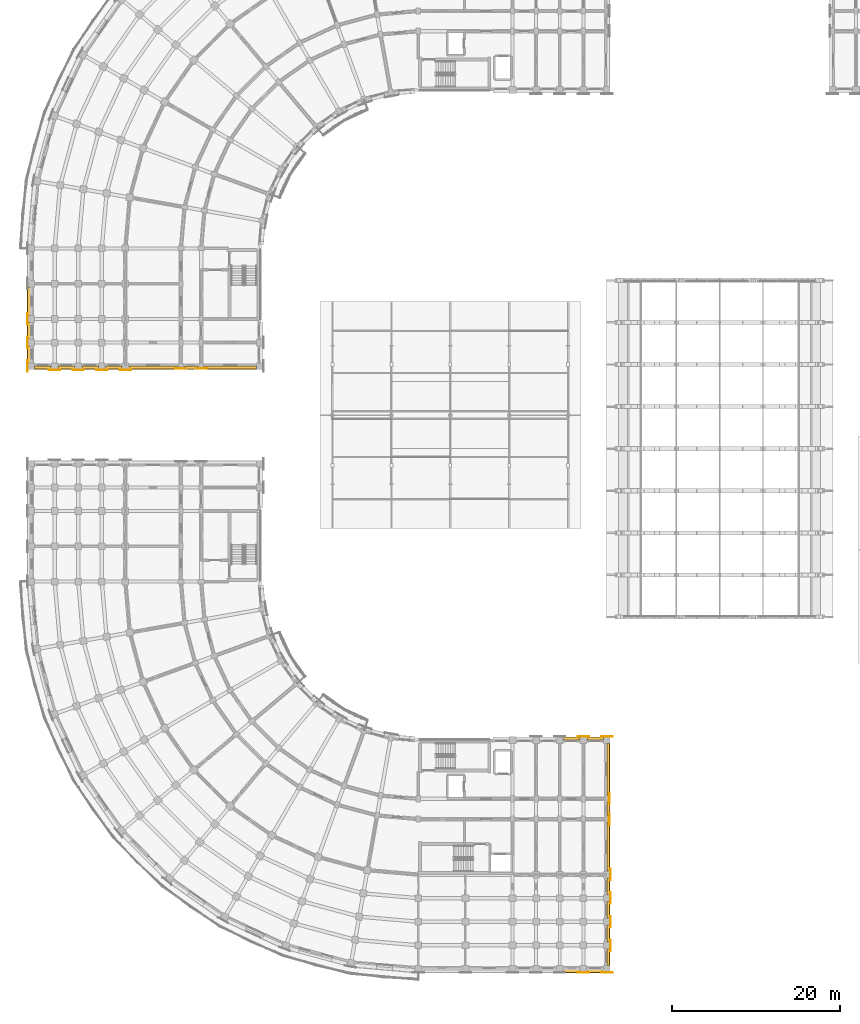
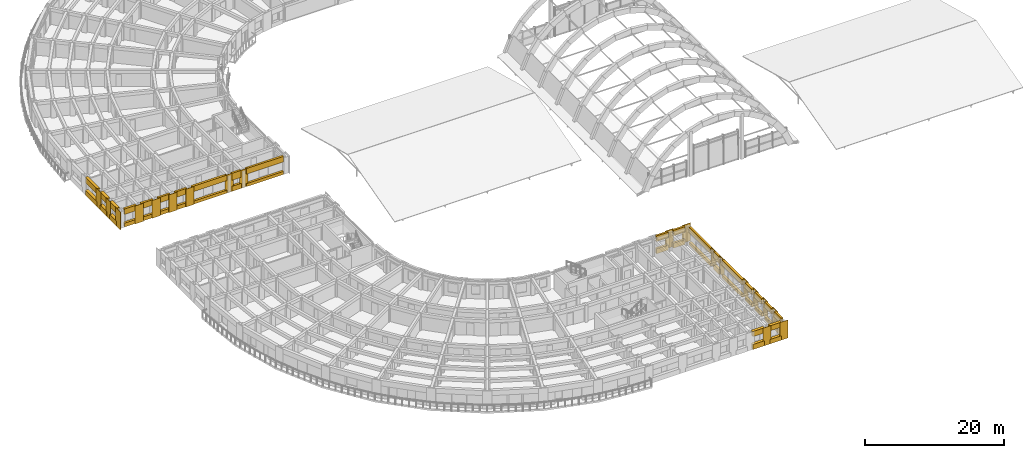
# One storey, part 64 of 76: 61 coverings.
"""IFC4 building model written with IfcOpenShell, lengths in metres."""

from ifc_helpers import new_model, si_unit, direction, frame, origin, place, context, subcontext, project, spatial, polyline, outline, extrude, material, layer, layer_set, type_object, element, save


model = new_model("IFC4")

# Units and contexts
model_context = context("Model", 3, precision=1e-05, world=origin(), true_north=direction((0.0, 1.0)))
body_context = subcontext(model_context, "Body", "Model", "MODEL_VIEW")
ifc_project = project(units=[si_unit("LENGTHUNIT", "METRE"), si_unit("AREAUNIT", "SQUARE_METRE"), si_unit("VOLUMEUNIT", "CUBIC_METRE"), si_unit("PLANEANGLEUNIT", "RADIAN"), si_unit("MASSUNIT", "GRAM", prefix="KILO")], contexts=[model_context])

# Site, building, storey
site_placement = place(None, origin())
site = spatial("IfcSite", under=ifc_project, at=site_placement, CompositionType="ELEMENT")
building_placement = place(site_placement, origin())
building = spatial("IfcBuilding", under=site, at=building_placement, Name="Kiranvali Square Residences", CompositionType="ELEMENT")
storey_placement = place(building_placement, frame((0.0, 0.0, 8.699951171875)))
storey = spatial("IfcBuildingStorey", under=building, at=storey_placement, Name="L02", CompositionType="ELEMENT", Elevation=8.699951171875)

# Coverings
ifc_material = material(Name="Honed Porbandar limestone ashlar facade cladding", Category="masonry")
ifc_layer_1 = layer(ifc_material, 0.06494140625)
ifc_layer_set_1 = layer_set([ifc_layer_1], Name="Honed Porbandar limestone ashlar facade cladding")
covering_type_1 = type_object("IfcCoveringType", Name="COV-CLAD-PIER", PredefinedType="CLADDING", material=ifc_layer_set_1)
covering_1_placement = place(storey_placement, frame((0.0, 0.0, 0.005126953125)))
element("IfcCovering", 1, at=covering_1_placement, inside=storey, type_object=covering_type_1, Name="L02 Classical limestone pilaster casing CLAD-PR-A-L02-V84", PredefinedType="CLADDING", context=body_context, shape_type="SweptSolid", body=[
    extrude(outline(polyline([(1.73193359375, 80.080078125), (1.73193359375, 78.719970703125), (1.799560546875, 78.719970703125), (1.799560546875, 80.080078125), (1.73193359375, 80.080078125)])), origin(), (0.0, 0.0, 1.0), 3.139892578125),
])
covering_2_placement = place(storey_placement, frame((0.0, 0.0, 0.005126953125)))
element("IfcCovering", 2, at=covering_2_placement, inside=storey, type_object=covering_type_1, Name="L02 Classical limestone pilaster casing CLAD-PR-A-L02-V112", PredefinedType="CLADDING", context=body_context, shape_type="SweptSolid", body=[
    extrude(outline(polyline([(1.73193359375, 77.280029296875), (1.73193359375, 75.919921875), (1.799560546875, 75.919921875), (1.799560546875, 77.280029296875), (1.73193359375, 77.280029296875)])), origin(), (0.0, 0.0, 1.0), 3.139892578125),
])
covering_3_placement = place(storey_placement, frame((0.0, 0.0, 0.005126953125)))
element("IfcCovering", 3, at=covering_3_placement, inside=storey, type_object=covering_type_1, Name="L02 Classical limestone pilaster casing CLAD-PR-A-L02-V140", PredefinedType="CLADDING", context=body_context, shape_type="SweptSolid", body=[
    extrude(outline(polyline([(1.73193359375, 74.47998046875), (1.73193359375, 73.1201171875), (1.799560546875, 73.1201171875), (1.799560546875, 74.47998046875), (1.73193359375, 74.47998046875)])), origin(), (0.0, 0.0, 1.0), 3.139892578125),
])
covering_4_placement = place(storey_placement, frame((0.0, 0.0, 0.005126953125)))
element("IfcCovering", 4, at=covering_4_placement, inside=storey, type_object=covering_type_1, Name="L02 Classical limestone pilaster casing CLAD-PR-C-L02-U195", PredefinedType="CLADDING", context=body_context, shape_type="SweptSolid", body=[
    extrude(outline(polyline([(67.1201171875, 1.73193359375), (68.47998046875, 1.73193359375), (68.47998046875, 1.799560546875), (67.1201171875, 1.799560546875), (67.1201171875, 1.73193359375)])), origin(), (0.0, 0.0, 1.0), 3.139892578125),
])
covering_5_placement = place(storey_placement, frame((0.0, 0.0, 0.005126953125)))
element("IfcCovering", 5, at=covering_5_placement, inside=storey, type_object=covering_type_1, Name="L02 Classical limestone pilaster casing CLAD-PR-C-L02-U224", PredefinedType="CLADDING", context=body_context, shape_type="SweptSolid", body=[
    extrude(outline(polyline([(69.919921875, 1.73193359375), (71.280029296875, 1.73193359375), (71.280029296875, 1.799560546875), (69.919921875, 1.799560546875), (69.919921875, 1.73193359375)])), origin(), (0.0, 0.0, 1.0), 3.139892578125),
])
ifc_layer_2 = layer(ifc_material, 0.050048828125)
ifc_layer_set_2 = layer_set([ifc_layer_2], Name="Honed Porbandar limestone ashlar facade cladding")
covering_type_2 = type_object("IfcCoveringType", Name="COV-CLAD-PIER-IN", PredefinedType="CLADDING", material=ifc_layer_set_2)
covering_6_placement = place(storey_placement, frame((0.0, 0.0, 0.005126953125)))
element("IfcCovering", 6, at=covering_6_placement, inside=storey, type_object=covering_type_2, Name="L02 Classical limestone pilaster casing CLAD-PRA1I-C-L02-U195", PredefinedType="CLADDING", context=body_context, shape_type="SweptSolid", body=[
    extrude(outline(polyline([(67.1201171875, 29.800537109375), (68.47998046875, 29.800537109375), (68.47998046875, 29.867919921875), (67.1201171875, 29.867919921875), (67.1201171875, 29.800537109375)])), origin(), (0.0, 0.0, 1.0), 3.139892578125),
])
covering_7_placement = place(storey_placement, frame((0.0, 0.0, 0.005126953125)))
element("IfcCovering", 7, at=covering_7_placement, inside=storey, type_object=covering_type_2, Name="L02 Classical limestone pilaster casing CLAD-PRA1I-C-L02-U224", PredefinedType="CLADDING", context=body_context, shape_type="SweptSolid", body=[
    extrude(outline(polyline([(69.919921875, 29.800537109375), (71.280029296875, 29.800537109375), (71.280029296875, 29.867919921875), (69.919921875, 29.867919921875), (69.919921875, 29.800537109375)])), origin(), (0.0, 0.0, 1.0), 3.139892578125),
])
ifc_layer_3 = layer(ifc_material, 0.054931640625)
ifc_layer_set_3 = layer_set([ifc_layer_3], Name="Honed Porbandar limestone ashlar facade cladding")
covering_type_3 = type_object("IfcCoveringType", Name="COV-CLAD-PIER-UP", PredefinedType="CLADDING", material=ifc_layer_set_3)
covering_8_placement = place(storey_placement, frame((0.0, 0.0, 0.005126953125)))
element("IfcCovering", 8, at=covering_8_placement, inside=storey, type_object=covering_type_3, Name="L02 Classical limestone pilaster casing CLAD-PRA2E-A-L02-R258", PredefinedType="CLADDING", context=body_context, shape_type="SweptSolid", body=[
    extrude(outline(polyline([(23.080078125, 73.549560546875), (21.719970703125, 73.549560546875), (21.719970703125, 73.48193359375), (23.080078125, 73.48193359375), (23.080078125, 73.549560546875)])), origin(), (0.0, 0.0, 1.0), 3.139892578125),
])
covering_9_placement = place(storey_placement, frame((0.0, 0.0, 0.005126953125)))
element("IfcCovering", 9, at=covering_9_placement, inside=storey, type_object=covering_type_3, Name="L02 Classical limestone pilaster casing CLAD-PRA2E-A-L02-R282", PredefinedType="CLADDING", context=body_context, shape_type="SweptSolid", body=[
    extrude(outline(polyline([(20.679931640625, 73.549560546875), (19.320068359375, 73.549560546875), (19.320068359375, 73.48193359375), (20.679931640625, 73.48193359375), (20.679931640625, 73.549560546875)])), origin(), (0.0, 0.0, 1.0), 3.139892578125),
])
covering_10_placement = place(storey_placement, frame((0.0, 0.0, 0.005126953125)))
element("IfcCovering", 10, at=covering_10_placement, inside=storey, type_object=covering_type_3, Name="L02 Classical limestone pilaster casing CLAD-PRA2E-A-L02-R348", PredefinedType="CLADDING", context=body_context, shape_type="SweptSolid", body=[
    extrude(outline(polyline([(14.080078125, 73.3994140625), (12.719970703125, 73.3994140625), (12.719970703125, 73.33203125), (14.080078125, 73.33203125), (14.080078125, 73.3994140625)])), origin(), (0.0, 0.0, 1.0), 3.139892578125),
])
covering_11_placement = place(storey_placement, frame((0.0, 0.0, 0.005126953125)))
element("IfcCovering", 11, at=covering_11_placement, inside=storey, type_object=covering_type_3, Name="L02 Classical limestone pilaster casing CLAD-PRA2E-A-L02-R376", PredefinedType="CLADDING", context=body_context, shape_type="SweptSolid", body=[
    extrude(outline(polyline([(11.280029296875, 73.3994140625), (9.919921875, 73.3994140625), (9.919921875, 73.33203125), (11.280029296875, 73.33203125), (11.280029296875, 73.3994140625)])), origin(), (0.0, 0.0, 1.0), 3.139892578125),
])
covering_12_placement = place(storey_placement, frame((0.0, 0.0, 0.005126953125)))
element("IfcCovering", 12, at=covering_12_placement, inside=storey, type_object=covering_type_3, Name="L02 Classical limestone pilaster casing CLAD-PRA2E-A-L02-R404", PredefinedType="CLADDING", context=body_context, shape_type="SweptSolid", body=[
    extrude(outline(polyline([(8.47998046875, 73.3994140625), (7.1201171875, 73.3994140625), (7.1201171875, 73.33203125), (8.47998046875, 73.33203125), (8.47998046875, 73.3994140625)])), origin(), (0.0, 0.0, 1.0), 3.139892578125),
])
covering_13_placement = place(storey_placement, frame((0.0, 0.0, 0.005126953125)))
element("IfcCovering", 13, at=covering_13_placement, inside=storey, type_object=covering_type_3, Name="L02 Classical limestone pilaster casing CLAD-PRA2E-A-L02-R432", PredefinedType="CLADDING", context=body_context, shape_type="SweptSolid", body=[
    extrude(outline(polyline([(5.679931640625, 73.3994140625), (4.320068359375, 73.3994140625), (4.320068359375, 73.33203125), (5.679931640625, 73.33203125), (5.679931640625, 73.3994140625)])), origin(), (0.0, 0.0, 1.0), 3.139892578125),
])
covering_14_placement = place(storey_placement, frame((0.0, 0.0, 0.005126953125)))
element("IfcCovering", 14, at=covering_14_placement, inside=storey, type_object=covering_type_3, Name="L02 Classical limestone pilaster casing CLAD-PRA1E-C-L02-R258", PredefinedType="CLADDING", context=body_context, shape_type="SweptSolid", body=[
    extrude(outline(polyline([(70.8505859375, 23.080078125), (70.8505859375, 21.719970703125), (70.91796875, 21.719970703125), (70.91796875, 23.080078125), (70.8505859375, 23.080078125)])), origin(), (0.0, 0.0, 1.0), 3.139892578125),
])
covering_15_placement = place(storey_placement, frame((0.0, 0.0, 0.005126953125)))
element("IfcCovering", 15, at=covering_15_placement, inside=storey, type_object=covering_type_3, Name="L02 Classical limestone pilaster casing CLAD-PRA1E-C-L02-R282", PredefinedType="CLADDING", context=body_context, shape_type="SweptSolid", body=[
    extrude(outline(polyline([(70.8505859375, 20.679931640625), (70.8505859375, 19.320068359375), (70.91796875, 19.320068359375), (70.91796875, 20.679931640625), (70.8505859375, 20.679931640625)])), origin(), (0.0, 0.0, 1.0), 3.139892578125),
])
covering_16_placement = place(storey_placement, frame((0.0, 0.0, 0.005126953125)))
element("IfcCovering", 16, at=covering_16_placement, inside=storey, type_object=covering_type_3, Name="L02 Classical limestone pilaster casing CLAD-PRA1E-C-L02-R348", PredefinedType="CLADDING", context=body_context, shape_type="SweptSolid", body=[
    extrude(outline(polyline([(71.00048828125, 14.080078125), (71.00048828125, 12.719970703125), (71.068115234375, 12.719970703125), (71.068115234375, 14.080078125), (71.00048828125, 14.080078125)])), origin(), (0.0, 0.0, 1.0), 3.139892578125),
])
covering_17_placement = place(storey_placement, frame((0.0, 0.0, 0.005126953125)))
element("IfcCovering", 17, at=covering_17_placement, inside=storey, type_object=covering_type_3, Name="L02 Classical limestone pilaster casing CLAD-PRA1E-C-L02-R376", PredefinedType="CLADDING", context=body_context, shape_type="SweptSolid", body=[
    extrude(outline(polyline([(71.00048828125, 11.280029296875), (71.00048828125, 9.919921875), (71.068115234375, 9.919921875), (71.068115234375, 11.280029296875), (71.00048828125, 11.280029296875)])), origin(), (0.0, 0.0, 1.0), 3.139892578125),
])
covering_18_placement = place(storey_placement, frame((0.0, 0.0, 0.005126953125)))
element("IfcCovering", 18, at=covering_18_placement, inside=storey, type_object=covering_type_3, Name="L02 Classical limestone pilaster casing CLAD-PRA1E-C-L02-R404", PredefinedType="CLADDING", context=body_context, shape_type="SweptSolid", body=[
    extrude(outline(polyline([(71.00048828125, 8.47998046875), (71.00048828125, 7.1201171875), (71.068115234375, 7.1201171875), (71.068115234375, 8.47998046875), (71.00048828125, 8.47998046875)])), origin(), (0.0, 0.0, 1.0), 3.139892578125),
])
covering_19_placement = place(storey_placement, frame((0.0, 0.0, 0.005126953125)))
element("IfcCovering", 19, at=covering_19_placement, inside=storey, type_object=covering_type_3, Name="L02 Classical limestone pilaster casing CLAD-PRA1E-C-L02-R432", PredefinedType="CLADDING", context=body_context, shape_type="SweptSolid", body=[
    extrude(outline(polyline([(71.00048828125, 5.679931640625), (71.00048828125, 4.320068359375), (71.068115234375, 4.320068359375), (71.068115234375, 5.679931640625), (71.00048828125, 5.679931640625)])), origin(), (0.0, 0.0, 1.0), 3.139892578125),
])
ifc_layer_4 = layer(ifc_material, 0.360107421875)
ifc_layer_set_4 = layer_set([ifc_layer_4], Name="Honed Porbandar limestone ashlar facade cladding")
covering_type_4 = type_object("IfcCoveringType", Name="COV-CLAD-WALL", PredefinedType="CLADDING", material=ifc_layer_set_4)
covering_20_placement = place(storey_placement, frame((0.0, 0.0, 2.130126953125)))
element("IfcCovering", 20, at=covering_20_placement, inside=storey, type_object=covering_type_4, Name="L02 light limestone spandrel lintel A-L02-A2O-1", PredefinedType="CLADDING", context=body_context, shape_type="SweptSolid", body=[
    extrude(outline(polyline([(1.75, 83.179931640625), (1.75, 79.820068359375), (2.199462890625, 79.820068359375), (2.199462890625, 83.179931640625), (1.75, 83.179931640625)])), origin(), (0.0, 0.0, 1.0), 1.014892578125),
])
covering_21_placement = place(storey_placement, frame((0.0, 0.0, 0.005126953125)))
element("IfcCovering", 21, at=covering_21_placement, inside=storey, type_object=covering_type_4, Name="L02 limestone window sill apron A-L02-A2O-1", PredefinedType="CLADDING", context=body_context, shape_type="SweptSolid", body=[
    extrude(outline(polyline([(1.719970703125, 83.179931640625), (1.719970703125, 79.820068359375), (2.199462890625, 79.820068359375), (2.199462890625, 83.179931640625), (1.719970703125, 83.179931640625)])), origin(), (0.0, 0.0, 1.0), 0.875),
])
covering_22_placement = place(storey_placement, frame((0.0, 0.0, 2.130126953125)))
element("IfcCovering", 22, at=covering_22_placement, inside=storey, type_object=covering_type_4, Name="L02 light limestone spandrel lintel A-L02-A2O-2", PredefinedType="CLADDING", context=body_context, shape_type="SweptSolid", body=[
    extrude(outline(polyline([(1.75, 78.97998046875), (1.75, 77.02001953125), (2.199462890625, 77.02001953125), (2.199462890625, 78.97998046875), (1.75, 78.97998046875)])), origin(), (0.0, 0.0, 1.0), 1.014892578125),
])
covering_23_placement = place(storey_placement, frame((0.0, 0.0, 0.005126953125)))
element("IfcCovering", 23, at=covering_23_placement, inside=storey, type_object=covering_type_4, Name="L02 limestone window sill apron A-L02-A2O-2", PredefinedType="CLADDING", context=body_context, shape_type="SweptSolid", body=[
    extrude(outline(polyline([(1.719970703125, 78.97998046875), (1.719970703125, 77.02001953125), (2.199462890625, 77.02001953125), (2.199462890625, 78.97998046875), (1.719970703125, 78.97998046875)])), origin(), (0.0, 0.0, 1.0), 0.875),
])
covering_24_placement = place(storey_placement, frame((0.0, 0.0, 2.130126953125)))
element("IfcCovering", 24, at=covering_24_placement, inside=storey, type_object=covering_type_4, Name="L02 light limestone spandrel lintel A-L02-A2O-3", PredefinedType="CLADDING", context=body_context, shape_type="SweptSolid", body=[
    extrude(outline(polyline([(1.75, 76.179931640625), (1.75, 74.219970703125), (2.199462890625, 74.219970703125), (2.199462890625, 76.179931640625), (1.75, 76.179931640625)])), origin(), (0.0, 0.0, 1.0), 1.014892578125),
])
covering_25_placement = place(storey_placement, frame((0.0, 0.0, 0.005126953125)))
element("IfcCovering", 25, at=covering_25_placement, inside=storey, type_object=covering_type_4, Name="L02 limestone window sill apron A-L02-A2O-3", PredefinedType="CLADDING", context=body_context, shape_type="SweptSolid", body=[
    extrude(outline(polyline([(1.719970703125, 76.179931640625), (1.719970703125, 74.219970703125), (2.199462890625, 74.219970703125), (2.199462890625, 76.179931640625), (1.719970703125, 76.179931640625)])), origin(), (0.0, 0.0, 1.0), 0.875),
])
covering_26_placement = place(storey_placement, frame((0.0, 0.0, 2.172119140625)))
element("IfcCovering", 26, at=covering_26_placement, inside=storey, type_object=covering_type_4, Name="L02 light limestone spandrel lintel A-L02-A2END-0", PredefinedType="CLADDING", context=body_context, shape_type="SweptSolid", body=[
    extrude(outline(polyline([(28.97998046875, 73.799560546875), (22.820068359375, 73.799560546875), (22.820068359375, 73.4599609375), (28.97998046875, 73.4599609375), (28.97998046875, 73.799560546875)])), origin(), (0.0, 0.0, 1.0), 0.972900390625),
])
covering_27_placement = place(storey_placement, frame((0.0, 0.0, 0.005126953125)))
element("IfcCovering", 27, at=covering_27_placement, inside=storey, type_object=covering_type_4, Name="L02 limestone window sill apron A-L02-A2END-0", PredefinedType="CLADDING", context=body_context, shape_type="SweptSolid", body=[
    extrude(outline(polyline([(28.97998046875, 73.799560546875), (22.820068359375, 73.799560546875), (22.820068359375, 73.429931640625), (28.97998046875, 73.429931640625), (28.97998046875, 73.799560546875)])), origin(), (0.0, 0.0, 1.0), 0.516845703125),
])
covering_28_placement = place(storey_placement, frame((0.0, 0.0, 1.929931640625)))
element("IfcCovering", 28, at=covering_28_placement, inside=storey, type_object=covering_type_4, Name="L02 light limestone spandrel lintel A-L02-A2END-1", PredefinedType="CLADDING", context=body_context, shape_type="SweptSolid", body=[
    extrude(outline(polyline([(21.97998046875, 73.799560546875), (20.419921875, 73.799560546875), (20.419921875, 73.4599609375), (21.97998046875, 73.4599609375), (21.97998046875, 73.799560546875)])), origin(), (0.0, 0.0, 1.0), 1.215087890625),
])
covering_29_placement = place(storey_placement, frame((0.0, 0.0, 0.005126953125)))
element("IfcCovering", 29, at=covering_29_placement, inside=storey, type_object=covering_type_4, Name="L02 limestone window sill apron A-L02-A2END-1", PredefinedType="CLADDING", context=body_context, shape_type="SweptSolid", body=[
    extrude(outline(polyline([(21.97998046875, 73.799560546875), (20.419921875, 73.799560546875), (20.419921875, 73.429931640625), (21.97998046875, 73.429931640625), (21.97998046875, 73.799560546875)])), origin(), (0.0, 0.0, 1.0), 0.875),
])
covering_30_placement = place(storey_placement, frame((0.0, 0.0, 2.172119140625)))
element("IfcCovering", 30, at=covering_30_placement, inside=storey, type_object=covering_type_4, Name="L02 light limestone spandrel lintel A-L02-A2END-2", PredefinedType="CLADDING", context=body_context, shape_type="SweptSolid", body=[
    extrude(outline(polyline([(19.580078125, 73.799560546875), (13.820068359375, 73.799560546875), (13.820068359375, 73.4599609375), (19.580078125, 73.4599609375), (19.580078125, 73.799560546875)])), origin(), (0.0, 0.0, 1.0), 0.972900390625),
])
covering_31_placement = place(storey_placement, frame((0.0, 0.0, 0.005126953125)))
element("IfcCovering", 31, at=covering_31_placement, inside=storey, type_object=covering_type_4, Name="L02 limestone window sill apron A-L02-A2END-2", PredefinedType="CLADDING", context=body_context, shape_type="SweptSolid", body=[
    extrude(outline(polyline([(19.580078125, 73.799560546875), (13.820068359375, 73.799560546875), (13.820068359375, 73.429931640625), (19.580078125, 73.429931640625), (19.580078125, 73.799560546875)])), origin(), (0.0, 0.0, 1.0), 0.516845703125),
])
covering_32_placement = place(storey_placement, frame((0.0, 0.0, 2.172119140625)))
element("IfcCovering", 32, at=covering_32_placement, inside=storey, type_object=covering_type_4, Name="L02 light limestone spandrel lintel A-L02-A2END-3", PredefinedType="CLADDING", context=body_context, shape_type="SweptSolid", body=[
    extrude(outline(polyline([(12.97998046875, 73.799560546875), (11.02001953125, 73.799560546875), (11.02001953125, 73.4599609375), (12.97998046875, 73.4599609375), (12.97998046875, 73.799560546875)])), origin(), (0.0, 0.0, 1.0), 0.972900390625),
])
covering_33_placement = place(storey_placement, frame((0.0, 0.0, 0.005126953125)))
element("IfcCovering", 33, at=covering_33_placement, inside=storey, type_object=covering_type_4, Name="L02 limestone window sill apron A-L02-A2END-3", PredefinedType="CLADDING", context=body_context, shape_type="SweptSolid", body=[
    extrude(outline(polyline([(12.97998046875, 73.799560546875), (11.02001953125, 73.799560546875), (11.02001953125, 73.429931640625), (12.97998046875, 73.429931640625), (12.97998046875, 73.799560546875)])), origin(), (0.0, 0.0, 1.0), 0.6669921875),
])
covering_34_placement = place(storey_placement, frame((0.0, 0.0, 2.172119140625)))
element("IfcCovering", 34, at=covering_34_placement, inside=storey, type_object=covering_type_4, Name="L02 light limestone spandrel lintel A-L02-A2END-4", PredefinedType="CLADDING", context=body_context, shape_type="SweptSolid", body=[
    extrude(outline(polyline([(10.179931640625, 73.799560546875), (8.219970703125, 73.799560546875), (8.219970703125, 73.4599609375), (10.179931640625, 73.4599609375), (10.179931640625, 73.799560546875)])), origin(), (0.0, 0.0, 1.0), 0.972900390625),
])
covering_35_placement = place(storey_placement, frame((0.0, 0.0, 0.005126953125)))
element("IfcCovering", 35, at=covering_35_placement, inside=storey, type_object=covering_type_4, Name="L02 limestone window sill apron A-L02-A2END-4", PredefinedType="CLADDING", context=body_context, shape_type="SweptSolid", body=[
    extrude(outline(polyline([(10.179931640625, 73.799560546875), (8.219970703125, 73.799560546875), (8.219970703125, 73.429931640625), (10.179931640625, 73.429931640625), (10.179931640625, 73.799560546875)])), origin(), (0.0, 0.0, 1.0), 0.6669921875),
])
covering_36_placement = place(storey_placement, frame((0.0, 0.0, 2.172119140625)))
element("IfcCovering", 36, at=covering_36_placement, inside=storey, type_object=covering_type_4, Name="L02 light limestone spandrel lintel A-L02-A2END-5", PredefinedType="CLADDING", context=body_context, shape_type="SweptSolid", body=[
    extrude(outline(polyline([(7.3798828125, 73.799560546875), (5.419921875, 73.799560546875), (5.419921875, 73.4599609375), (7.3798828125, 73.4599609375), (7.3798828125, 73.799560546875)])), origin(), (0.0, 0.0, 1.0), 0.972900390625),
])
covering_37_placement = place(storey_placement, frame((0.0, 0.0, 0.005126953125)))
element("IfcCovering", 37, at=covering_37_placement, inside=storey, type_object=covering_type_4, Name="L02 limestone window sill apron A-L02-A2END-5", PredefinedType="CLADDING", context=body_context, shape_type="SweptSolid", body=[
    extrude(outline(polyline([(7.3798828125, 73.799560546875), (5.419921875, 73.799560546875), (5.419921875, 73.429931640625), (7.3798828125, 73.429931640625), (7.3798828125, 73.799560546875)])), origin(), (0.0, 0.0, 1.0), 0.6669921875),
])
covering_38_placement = place(storey_placement, frame((0.0, 0.0, 2.172119140625)))
element("IfcCovering", 38, at=covering_38_placement, inside=storey, type_object=covering_type_4, Name="L02 light limestone spandrel lintel A-L02-A2END-6", PredefinedType="CLADDING", context=body_context, shape_type="SweptSolid", body=[
    extrude(outline(polyline([(4.580078125, 73.799560546875), (2.6201171875, 73.799560546875), (2.6201171875, 73.4599609375), (4.580078125, 73.4599609375), (4.580078125, 73.799560546875)])), origin(), (0.0, 0.0, 1.0), 0.972900390625),
])
covering_39_placement = place(storey_placement, frame((0.0, 0.0, 0.005126953125)))
element("IfcCovering", 39, at=covering_39_placement, inside=storey, type_object=covering_type_4, Name="L02 limestone window sill apron A-L02-A2END-6", PredefinedType="CLADDING", context=body_context, shape_type="SweptSolid", body=[
    extrude(outline(polyline([(4.580078125, 73.799560546875), (2.6201171875, 73.799560546875), (2.6201171875, 73.429931640625), (4.580078125, 73.429931640625), (4.580078125, 73.799560546875)])), origin(), (0.0, 0.0, 1.0), 0.6669921875),
])
covering_40_placement = place(storey_placement, frame((0.0, 0.0, 2.22998046875)))
element("IfcCovering", 40, at=covering_40_placement, inside=storey, type_object=covering_type_4, Name="L02 light limestone spandrel lintel C-L02-A1O-4", PredefinedType="CLADDING", context=body_context, shape_type="SweptSolid", body=[
    extrude(outline(polyline([(65.43994140625, 1.75), (67.360107421875, 1.75), (67.360107421875, 2.199462890625), (65.43994140625, 2.199462890625), (65.43994140625, 1.75)])), origin(), (0.0, 0.0, 1.0), 0.9150390625),
])
covering_41_placement = place(storey_placement, frame((0.0, 0.0, 0.005126953125)))
element("IfcCovering", 41, at=covering_41_placement, inside=storey, type_object=covering_type_4, Name="L02 limestone window sill apron C-L02-A1O-4", PredefinedType="CLADDING", context=body_context, shape_type="SweptSolid", body=[
    extrude(outline(polyline([(65.43994140625, 1.719970703125), (67.360107421875, 1.719970703125), (67.360107421875, 2.199462890625), (65.43994140625, 2.199462890625), (65.43994140625, 1.719970703125)])), origin(), (0.0, 0.0, 1.0), 0.875),
])
covering_42_placement = place(storey_placement, frame((0.0, 0.0, 2.27197265625)))
element("IfcCovering", 42, at=covering_42_placement, inside=storey, type_object=covering_type_4, Name="L02 light limestone spandrel lintel C-L02-A1O-5", PredefinedType="CLADDING", context=body_context, shape_type="SweptSolid", body=[
    extrude(outline(polyline([(68.239990234375, 1.75), (70.159912109375, 1.75), (70.159912109375, 2.199462890625), (68.239990234375, 2.199462890625), (68.239990234375, 1.75)])), origin(), (0.0, 0.0, 1.0), 0.873046875),
])
covering_43_placement = place(storey_placement, frame((0.0, 0.0, 0.005126953125)))
element("IfcCovering", 43, at=covering_43_placement, inside=storey, type_object=covering_type_4, Name="L02 limestone window sill apron C-L02-A1O-5", PredefinedType="CLADDING", context=body_context, shape_type="SweptSolid", body=[
    extrude(outline(polyline([(68.239990234375, 1.719970703125), (70.159912109375, 1.719970703125), (70.159912109375, 2.199462890625), (68.239990234375, 2.199462890625), (68.239990234375, 1.719970703125)])), origin(), (0.0, 0.0, 1.0), 0.766845703125),
])
covering_44_placement = place(storey_placement, frame((0.0, 0.0, 2.130126953125)))
element("IfcCovering", 44, at=covering_44_placement, inside=storey, type_object=covering_type_4, Name="L02 light limestone spandrel lintel C-L02-A1I-2", PredefinedType="CLADDING", context=body_context, shape_type="SweptSolid", body=[
    extrude(outline(polyline([(65.419921875, 29.400390625), (67.3798828125, 29.400390625), (67.3798828125, 29.719970703125), (65.419921875, 29.719970703125), (65.419921875, 29.400390625)])), origin(), (0.0, 0.0, 1.0), 1.014892578125),
])
covering_45_placement = place(storey_placement, frame((0.0, 0.0, 0.005126953125)))
element("IfcCovering", 45, at=covering_45_placement, inside=storey, type_object=covering_type_4, Name="L02 limestone window sill apron C-L02-A1I-2", PredefinedType="CLADDING", context=body_context, shape_type="SweptSolid", body=[
    extrude(outline(polyline([(65.419921875, 29.400390625), (67.3798828125, 29.400390625), (67.3798828125, 29.75), (65.419921875, 29.75), (65.419921875, 29.400390625)])), origin(), (0.0, 0.0, 1.0), 0.875),
])
covering_46_placement = place(storey_placement, frame((0.0, 0.0, 2.130126953125)))
element("IfcCovering", 46, at=covering_46_placement, inside=storey, type_object=covering_type_4, Name="L02 light limestone spandrel lintel C-L02-A1I-3", PredefinedType="CLADDING", context=body_context, shape_type="SweptSolid", body=[
    extrude(outline(polyline([(68.219970703125, 29.400390625), (70.179931640625, 29.400390625), (70.179931640625, 29.719970703125), (68.219970703125, 29.719970703125), (68.219970703125, 29.400390625)])), origin(), (0.0, 0.0, 1.0), 1.014892578125),
])
covering_47_placement = place(storey_placement, frame((0.0, 0.0, 0.005126953125)))
element("IfcCovering", 47, at=covering_47_placement, inside=storey, type_object=covering_type_4, Name="L02 limestone window sill apron C-L02-A1I-3", PredefinedType="CLADDING", context=body_context, shape_type="SweptSolid", body=[
    extrude(outline(polyline([(68.219970703125, 29.400390625), (70.179931640625, 29.400390625), (70.179931640625, 29.75), (68.219970703125, 29.75), (68.219970703125, 29.400390625)])), origin(), (0.0, 0.0, 1.0), 0.875),
])
covering_48_placement = place(storey_placement, frame((0.0, 0.0, 2.172119140625)))
element("IfcCovering", 48, at=covering_48_placement, inside=storey, type_object=covering_type_4, Name="L02 light limestone spandrel lintel C-L02-A1END-0", PredefinedType="CLADDING", context=body_context, shape_type="SweptSolid", body=[
    extrude(outline(polyline([(70.6005859375, 28.97998046875), (70.6005859375, 22.820068359375), (70.93994140625, 22.820068359375), (70.93994140625, 28.97998046875), (70.6005859375, 28.97998046875)])), origin(), (0.0, 0.0, 1.0), 0.972900390625),
])
covering_49_placement = place(storey_placement, frame((0.0, 0.0, 0.005126953125)))
element("IfcCovering", 49, at=covering_49_placement, inside=storey, type_object=covering_type_4, Name="L02 limestone window sill apron C-L02-A1END-0", PredefinedType="CLADDING", context=body_context, shape_type="SweptSolid", body=[
    extrude(outline(polyline([(70.6005859375, 28.97998046875), (70.6005859375, 22.820068359375), (70.969970703125, 22.820068359375), (70.969970703125, 28.97998046875), (70.6005859375, 28.97998046875)])), origin(), (0.0, 0.0, 1.0), 0.516845703125),
])
covering_50_placement = place(storey_placement, frame((0.0, 0.0, 1.929931640625)))
element("IfcCovering", 50, at=covering_50_placement, inside=storey, type_object=covering_type_4, Name="L02 light limestone spandrel lintel C-L02-A1END-1", PredefinedType="CLADDING", context=body_context, shape_type="SweptSolid", body=[
    extrude(outline(polyline([(70.6005859375, 21.97998046875), (70.6005859375, 20.419921875), (70.93994140625, 20.419921875), (70.93994140625, 21.97998046875), (70.6005859375, 21.97998046875)])), origin(), (0.0, 0.0, 1.0), 1.215087890625),
])
covering_51_placement = place(storey_placement, frame((0.0, 0.0, 0.005126953125)))
element("IfcCovering", 51, at=covering_51_placement, inside=storey, type_object=covering_type_4, Name="L02 limestone window sill apron C-L02-A1END-1", PredefinedType="CLADDING", context=body_context, shape_type="SweptSolid", body=[
    extrude(outline(polyline([(70.6005859375, 21.97998046875), (70.6005859375, 20.419921875), (70.969970703125, 20.419921875), (70.969970703125, 21.97998046875), (70.6005859375, 21.97998046875)])), origin(), (0.0, 0.0, 1.0), 0.875),
])
covering_52_placement = place(storey_placement, frame((0.0, 0.0, 2.172119140625)))
element("IfcCovering", 52, at=covering_52_placement, inside=storey, type_object=covering_type_4, Name="L02 light limestone spandrel lintel C-L02-A1END-2", PredefinedType="CLADDING", context=body_context, shape_type="SweptSolid", body=[
    extrude(outline(polyline([(70.6005859375, 19.580078125), (70.6005859375, 13.820068359375), (70.93994140625, 13.820068359375), (70.93994140625, 19.580078125), (70.6005859375, 19.580078125)])), origin(), (0.0, 0.0, 1.0), 0.972900390625),
])
covering_53_placement = place(storey_placement, frame((0.0, 0.0, 0.005126953125)))
element("IfcCovering", 53, at=covering_53_placement, inside=storey, type_object=covering_type_4, Name="L02 limestone window sill apron C-L02-A1END-2", PredefinedType="CLADDING", context=body_context, shape_type="SweptSolid", body=[
    extrude(outline(polyline([(70.6005859375, 19.580078125), (70.6005859375, 13.820068359375), (70.969970703125, 13.820068359375), (70.969970703125, 19.580078125), (70.6005859375, 19.580078125)])), origin(), (0.0, 0.0, 1.0), 0.516845703125),
])
covering_54_placement = place(storey_placement, frame((0.0, 0.0, 2.172119140625)))
element("IfcCovering", 54, at=covering_54_placement, inside=storey, type_object=covering_type_4, Name="L02 light limestone spandrel lintel C-L02-A1END-3", PredefinedType="CLADDING", context=body_context, shape_type="SweptSolid", body=[
    extrude(outline(polyline([(70.6005859375, 12.97998046875), (70.6005859375, 11.02001953125), (70.93994140625, 11.02001953125), (70.93994140625, 12.97998046875), (70.6005859375, 12.97998046875)])), origin(), (0.0, 0.0, 1.0), 0.972900390625),
])
covering_55_placement = place(storey_placement, frame((0.0, 0.0, 0.005126953125)))
element("IfcCovering", 55, at=covering_55_placement, inside=storey, type_object=covering_type_4, Name="L02 limestone window sill apron C-L02-A1END-3", PredefinedType="CLADDING", context=body_context, shape_type="SweptSolid", body=[
    extrude(outline(polyline([(70.6005859375, 12.97998046875), (70.6005859375, 11.02001953125), (70.969970703125, 11.02001953125), (70.969970703125, 12.97998046875), (70.6005859375, 12.97998046875)])), origin(), (0.0, 0.0, 1.0), 0.6669921875),
])
covering_56_placement = place(storey_placement, frame((0.0, 0.0, 2.172119140625)))
element("IfcCovering", 56, at=covering_56_placement, inside=storey, type_object=covering_type_4, Name="L02 light limestone spandrel lintel C-L02-A1END-4", PredefinedType="CLADDING", context=body_context, shape_type="SweptSolid", body=[
    extrude(outline(polyline([(70.6005859375, 10.179931640625), (70.6005859375, 8.219970703125), (70.93994140625, 8.219970703125), (70.93994140625, 10.179931640625), (70.6005859375, 10.179931640625)])), origin(), (0.0, 0.0, 1.0), 0.972900390625),
])
covering_57_placement = place(storey_placement, frame((0.0, 0.0, 0.005126953125)))
element("IfcCovering", 57, at=covering_57_placement, inside=storey, type_object=covering_type_4, Name="L02 limestone window sill apron C-L02-A1END-4", PredefinedType="CLADDING", context=body_context, shape_type="SweptSolid", body=[
    extrude(outline(polyline([(70.6005859375, 10.179931640625), (70.6005859375, 8.219970703125), (70.969970703125, 8.219970703125), (70.969970703125, 10.179931640625), (70.6005859375, 10.179931640625)])), origin(), (0.0, 0.0, 1.0), 0.6669921875),
])
covering_58_placement = place(storey_placement, frame((0.0, 0.0, 2.172119140625)))
element("IfcCovering", 58, at=covering_58_placement, inside=storey, type_object=covering_type_4, Name="L02 light limestone spandrel lintel C-L02-A1END-5", PredefinedType="CLADDING", context=body_context, shape_type="SweptSolid", body=[
    extrude(outline(polyline([(70.6005859375, 7.3798828125), (70.6005859375, 5.419921875), (70.93994140625, 5.419921875), (70.93994140625, 7.3798828125), (70.6005859375, 7.3798828125)])), origin(), (0.0, 0.0, 1.0), 0.972900390625),
])
covering_59_placement = place(storey_placement, frame((0.0, 0.0, 0.005126953125)))
element("IfcCovering", 59, at=covering_59_placement, inside=storey, type_object=covering_type_4, Name="L02 limestone window sill apron C-L02-A1END-5", PredefinedType="CLADDING", context=body_context, shape_type="SweptSolid", body=[
    extrude(outline(polyline([(70.6005859375, 7.3798828125), (70.6005859375, 5.419921875), (70.969970703125, 5.419921875), (70.969970703125, 7.3798828125), (70.6005859375, 7.3798828125)])), origin(), (0.0, 0.0, 1.0), 0.6669921875),
])
covering_60_placement = place(storey_placement, frame((0.0, 0.0, 2.172119140625)))
element("IfcCovering", 60, at=covering_60_placement, inside=storey, type_object=covering_type_4, Name="L02 light limestone spandrel lintel C-L02-A1END-6", PredefinedType="CLADDING", context=body_context, shape_type="SweptSolid", body=[
    extrude(outline(polyline([(70.6005859375, 4.580078125), (70.6005859375, 2.6201171875), (70.93994140625, 2.6201171875), (70.93994140625, 4.580078125), (70.6005859375, 4.580078125)])), origin(), (0.0, 0.0, 1.0), 0.972900390625),
])
covering_61_placement = place(storey_placement, frame((0.0, 0.0, 0.005126953125)))
element("IfcCovering", 61, at=covering_61_placement, inside=storey, type_object=covering_type_4, Name="L02 limestone window sill apron C-L02-A1END-6", PredefinedType="CLADDING", context=body_context, shape_type="SweptSolid", body=[
    extrude(outline(polyline([(70.6005859375, 4.580078125), (70.6005859375, 2.6201171875), (70.969970703125, 2.6201171875), (70.969970703125, 4.580078125), (70.6005859375, 4.580078125)])), origin(), (0.0, 0.0, 1.0), 0.6669921875),
])

save(model, "model.ifc")
